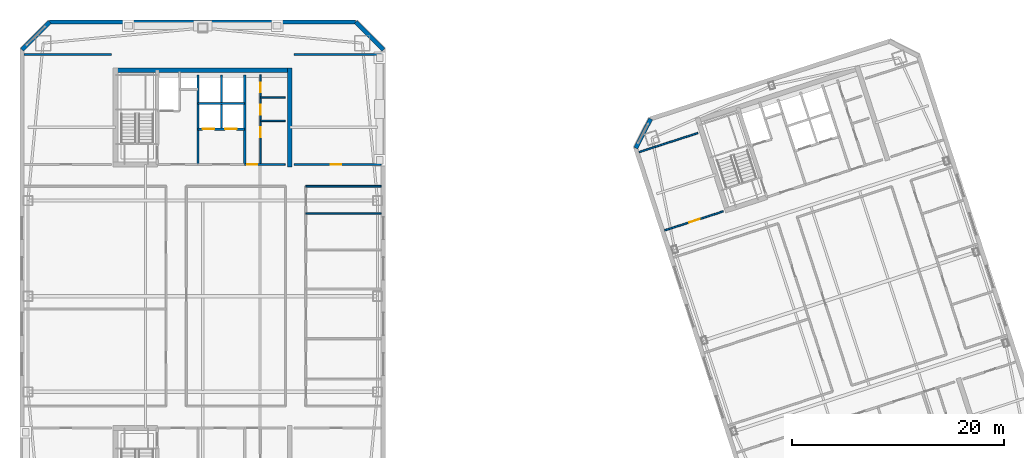
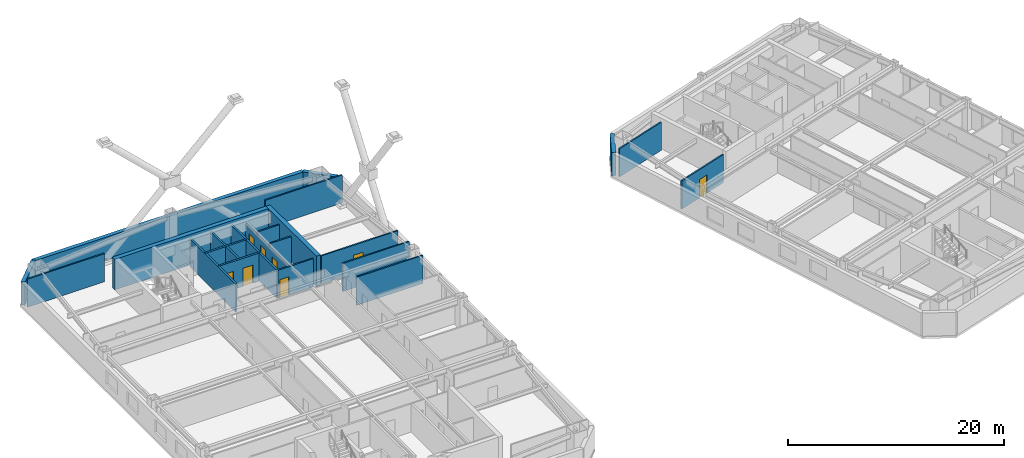
# One storey, part 19 of 25: 22 walls, 8 doors, 8 openings.
"""IFC4 building model written with IfcOpenShell, lengths in metres."""

from ifc_helpers import new_model, si_unit, direction, frame, frame_2d, origin, place, context, subcontext, project, spatial, rectangle, extrude, material, layer, layer_set, type_object, element, fill, save


model = new_model("IFC4")

# Units and contexts
model_context = context("Model", 3, precision=1e-05, world=origin(), true_north=direction((0.0, 1.0)))
body_context = subcontext(model_context, "Body", "Model", "MODEL_VIEW")
ifc_project = project(units=[si_unit("LENGTHUNIT", "METRE"), si_unit("AREAUNIT", "SQUARE_METRE"), si_unit("VOLUMEUNIT", "CUBIC_METRE"), si_unit("PLANEANGLEUNIT", "RADIAN"), si_unit("MASSUNIT", "GRAM", prefix="KILO")], contexts=[model_context])

# Site, building, storey
site_placement = place(None, origin())
site = spatial("IfcSite", under=ifc_project, at=site_placement, CompositionType="ELEMENT")
building_placement = place(site_placement, origin())
building = spatial("IfcBuilding", under=site, at=building_placement, Name="Qiaolan Cultural Towers", CompositionType="ELEMENT")
storey_placement = place(building_placement, frame((0.0, 0.0, 202.39990234375)))
storey = spatial("IfcBuildingStorey", under=building, at=storey_placement, Name="L54", CompositionType="ELEMENT", Elevation=202.39990234375)

# Walls
ifc_material_1 = material(Name="Concrete C50", Category="concrete")
ifc_layer_1 = layer(ifc_material_1, 0.449951171875)
ifc_layer_set_1 = layer_set([ifc_layer_1], Name="Concrete C50")
wall_type_1 = type_object("IfcWallType", Name="WL-CORE-450", PredefinedType="SHEAR", material=ifc_layer_set_1)
wall_1_placement = place(storey_placement, frame((21.574951171875, 55.280029296875, 0.0), z_axis=(0.0, 0.0, 1.0), x_axis=(1.0, 0.0, 0.0)))
element("IfcWall", 1, at=wall_1_placement, inside=storey, type_object=wall_type_1, Name="L54 T1-CN Outer Core Shear Wall", PredefinedType="SHEAR", context=body_context, shape_type="SweptSolid", body=[
    extrude(rectangle(XDim=16.85009765625, YDim=0.449951171875, at=frame_2d((8.425048828125, 0.0))), origin(), (0.0, 0.0, 1.0), 3.4501953125),
])
wall_2_placement = place(storey_placement, frame((38.199951171875, 46.175048828125, 0.0), z_axis=(0.0, 0.0, 1.0), x_axis=(0.0, 1.0, 0.0)))
element("IfcWall", 2, at=wall_2_placement, inside=storey, type_object=wall_type_1, Name="L54 T1-CN East Core Shear Wall", PredefinedType="SHEAR", context=body_context, shape_type="SweptSolid", body=[
    extrude(rectangle(XDim=9.329833984375, YDim=0.449951171875, at=frame_2d((4.6650390625, 0.0))), origin(), (0.0, 0.0, 1.0), 3.4501953125),
])
ifc_material_2 = material(Name="Precast Concrete C50 Honed Stone Pier", Category="masonry")
ifc_layer_2 = layer(ifc_material_2, 0.39990234375)
ifc_layer_set_2 = layer_set([ifc_layer_2], Name="Precast Concrete C50 Honed Stone Pier")
wall_type_2 = type_object("IfcWallType", Name="WL-EXT-PIER-400", PredefinedType="SOLIDWALL", material=ifc_layer_set_2)
wall_3_placement = place(storey_placement, frame((13.0, 57.199951171875, 0.0), z_axis=(0.0, 0.0, 1.0), x_axis=(0.707106781187, 0.707106781187, 0.0)))
element("IfcWall", 3, at=wall_3_placement, inside=storey, type_object=wall_type_2, Name="L54 West Tower Precast Pier Facade Wall F2", PredefinedType="SOLIDWALL", context=body_context, shape_type="SweptSolid", body=[
    extrude(rectangle(XDim=3.677001953125, YDim=0.39990234375, at=frame_2d((1.83837890625, 0.0))), origin(), (0.0, 0.0, 1.0), 2.610107421875),
])
wall_4_placement = place(storey_placement, frame((15.60009765625, 59.800048828125, 0.0), z_axis=(0.0, 0.0, 1.0), x_axis=(1.0, 0.0, 0.0)))
element("IfcWall", 4, at=wall_4_placement, inside=storey, type_object=wall_type_2, Name="L54 West Tower Precast Pier Facade Wall F3", PredefinedType="SOLIDWALL", context=body_context, shape_type="SweptSolid", body=[
    extrude(rectangle(XDim=28.7998046875, YDim=0.39990234375, at=frame_2d((14.39990234375, 0.0))), origin(), (0.0, 0.0, 1.0), 2.610107421875),
])
wall_5_placement = place(storey_placement, frame((44.39990234375, 59.800048828125, 0.0), z_axis=(0.0, 0.0, 1.0), x_axis=(0.707106781187, -0.707106781187, 0.0)))
element("IfcWall", 5, at=wall_5_placement, inside=storey, type_object=wall_type_2, Name="L54 West Tower Precast Pier Facade Wall F4", PredefinedType="SOLIDWALL", context=body_context, shape_type="SweptSolid", body=[
    extrude(rectangle(XDim=3.677001953125, YDim=0.39990234375, at=frame_2d((1.83837890625, 0.0))), origin(), (0.0, 0.0, 1.0), 2.610107421875),
])
wall_6_placement = place(storey_placement, frame((70.752197265625, 47.93408203125, 0.0), z_axis=(0.0, 0.0, 1.0), x_axis=(0.453949291228, 0.891027519774, 0.0)))
element("IfcWall", 6, at=wall_6_placement, inside=storey, type_object=wall_type_2, Name="L54 East Tower Precast Pier Facade Wall F2", PredefinedType="SOLIDWALL", context=body_context, shape_type="SweptSolid", body=[
    extrude(rectangle(XDim=3.111328125, YDim=0.39990234375, at=frame_2d((1.5556640625, 0.0))), origin(), (0.0, 0.0, 1.0), 2.610107421875),
])
ifc_material_3 = material(Name="Concrete C35 Fire Wall", Category="concrete")
ifc_layer_3 = layer(ifc_material_3, 0.199951171875)
ifc_layer_set_3 = layer_set([ifc_layer_3], Name="Concrete C35 Fire Wall")
wall_type_3 = type_object("IfcWallType", Name="WL-FIRE-200", PredefinedType="PARTITIONING", material=ifc_layer_set_3)
for number, where, z_axis, x_axis, name in (
    (7, (29.550048828125, 46.39990234375, 0.0), (0.0, 0.0, 1.0), (0.0, 1.0, 0.0), "L54 T1-CN Firefighting Zone Wall"),
    (8, (33.949951171875, 46.39990234375, 0.0), (0.0, 0.0, 1.0), (0.0, 1.0, 0.0), "L54 T1-CN Lift Core East Wall"),
):
    element("IfcWall", number, at=place(storey_placement, frame(where, z_axis=z_axis, x_axis=x_axis)), inside=storey, type_object=wall_type_3, Name=name, PredefinedType="PARTITIONING", context=body_context, shape_type="SweptSolid", body=[
        extrude(rectangle(XDim=8.43017578125, YDim=0.199951171875, at=frame_2d((4.215087890625, 0.0))), origin(), (0.0, 0.0, 1.0), 3.175048828125),
    ])

# Wall, openings, doors
wall_7_placement = place(storey_placement, frame((29.550048828125, 49.719970703125, 0.0), z_axis=(0.0, 0.0, 1.0), x_axis=(1.0, 0.0, 0.0)))
wall_7 = element("IfcWall", 9, at=wall_7_placement, inside=storey, type_object=wall_type_3, Name="L54 T1-CN Passenger Lift Shaft Front Wall", PredefinedType="PARTITIONING", context=body_context, shape_type="SweptSolid", body=[
    extrude(rectangle(XDim=4.39990234375, YDim=0.199951171875, at=frame_2d((2.199951171875, 0.0))), origin(), (0.0, 0.0, 1.0), 3.175048828125),
])
opening_1_placement = place(wall_7_placement, frame((0.449951171875, 0.0, 0.0)))
opening_1 = element("IfcOpeningElement", 10, at=opening_1_placement, cuts=wall_7, Name="Opening LD-01", PredefinedType="OPENING", context=body_context, shape_type="SweptSolid", body=[
    extrude(rectangle(XDim=1.10009765625, YDim=2.050048828125, at=frame_2d((0.550048828125, 1.02490234375))), frame((0.0, 0.10986328125, 0.0), z_axis=(0.0, -1.0, 0.0), x_axis=(1.0, 0.0, 0.0)), (0.0, 0.0, 1.0), 0.219970703125),
])
opening_2_placement = place(wall_7_placement, frame((2.550048828125, 0.0, 0.0)))
opening_2 = element("IfcOpeningElement", 11, at=opening_2_placement, cuts=wall_7, Name="Opening LD-01", PredefinedType="OPENING", context=body_context, shape_type="SweptSolid", body=[
    extrude(rectangle(XDim=1.10009765625, YDim=2.050048828125, at=frame_2d((0.550048828125, 1.02490234375))), frame((0.0, 0.10986328125, 0.0), z_axis=(0.0, -1.0, 0.0), x_axis=(1.0, 0.0, 0.0)), (0.0, 0.0, 1.0), 0.219970703125),
])
ifc_material_4 = material(Name="Brushed Stainless Steel S30408 Centre-Parting Lift Landing Door", Category="steel")
door_type_1 = type_object("IfcDoorType", Name="DR-LIFT-1100", OperationType="NOTDEFINED", PredefinedType="DOOR", material=ifc_material_4)
door_1_placement = place(opening_1_placement, origin())
door_1 = element("IfcDoor", 12, at=door_1_placement, inside=storey, type_object=door_type_1, Name="L54 Passenger Lift 1 Landing Door", OperationType="DOUBLE_DOOR_SLIDING", OverallHeight=2.050048828125, OverallWidth=1.10009765625, PredefinedType="DOOR", context=body_context, shape_type="SweptSolid", body=[
    extrude(rectangle(XDim=1.10009765625, YDim=2.050048828125, at=frame_2d((0.550048828125, 1.02490234375))), frame((0.0, 0.02490234375, 0.0), z_axis=(0.0, -1.0, 0.0), x_axis=(1.0, 0.0, 0.0)), (0.0, 0.0, 1.0), 0.050048828125),
])
fill(opening_1, door_1)
door_2_placement = place(opening_2_placement, origin())
door_2 = element("IfcDoor", 13, at=door_2_placement, inside=storey, type_object=door_type_1, Name="L54 Passenger Lift 2 Landing Door", OperationType="DOUBLE_DOOR_SLIDING", OverallHeight=2.050048828125, OverallWidth=1.10009765625, PredefinedType="DOOR", context=body_context, shape_type="SweptSolid", body=[
    extrude(rectangle(XDim=1.10009765625, YDim=2.050048828125, at=frame_2d((0.550048828125, 1.02490234375))), frame((0.0, 0.02490234375, 0.0), z_axis=(0.0, -1.0, 0.0), x_axis=(1.0, 0.0, 0.0)), (0.0, 0.0, 1.0), 0.050048828125),
])
fill(opening_2, door_2)

# Walls
wall_8_placement = place(storey_placement, frame((31.780029296875, 49.719970703125, 0.0), z_axis=(0.0, 0.0, 1.0), x_axis=(0.0, 1.0, 0.0)))
element("IfcWall", 14, at=wall_8_placement, inside=storey, type_object=wall_type_3, Name="L54 T1-CN Lift Shaft Divider Wall", PredefinedType="PARTITIONING", context=body_context, shape_type="SweptSolid", body=[
    extrude(rectangle(XDim=5.110107421875, YDim=0.199951171875, at=frame_2d((2.55517578125, 0.0))), origin(), (0.0, 0.0, 1.0), 3.175048828125),
])
wall_9_placement = place(storey_placement, frame((29.550048828125, 52.14990234375, 0.0), z_axis=(0.0, 0.0, 1.0), x_axis=(1.0, 0.0, 0.0)))
element("IfcWall", 15, at=wall_9_placement, inside=storey, type_object=wall_type_3, Name="L54 T1-CN Passenger Lift Shaft Back Wall", PredefinedType="PARTITIONING", context=body_context, shape_type="SweptSolid", body=[
    extrude(rectangle(XDim=4.39990234375, YDim=0.199951171875, at=frame_2d((2.199951171875, 0.0))), origin(), (0.0, 0.0, 1.0), 3.175048828125),
])

# Wall, opening, door
ifc_material_5 = material(Name="Autoclaved Aerated Concrete Block B06", Category="concrete")
ifc_layer_4 = layer(ifc_material_5, 0.14990234375)
ifc_layer_set_4 = layer_set([ifc_layer_4], Name="Autoclaved Aerated Concrete Block B06")
wall_type_4 = type_object("IfcWallType", Name="WL-PART-150", PredefinedType="PARTITIONING", material=ifc_layer_set_4)
wall_10_placement = place(storey_placement, frame((33.949951171875, 46.39990234375, 0.0), z_axis=(0.0, 0.0, 1.0), x_axis=(1.0, 0.0, 0.0)))
wall_10 = element("IfcWall", 16, at=wall_10_placement, inside=storey, type_object=wall_type_4, Name="L54 T1-CN Sanitary Core Front Wall", PredefinedType="PARTITIONING", context=body_context, shape_type="SweptSolid", body=[
    extrude(rectangle(XDim=3.800048828125, YDim=0.14990234375, at=frame_2d((1.89990234375, 0.0))), origin(), (0.0, 0.0, 1.0), 3.175048828125),
])
opening_3_placement = place(wall_10_placement, frame((0.219970703125, 0.0, 0.0)))
opening_3 = element("IfcOpeningElement", 17, at=opening_3_placement, cuts=wall_10, Name="Opening ID-05", PredefinedType="OPENING", context=body_context, shape_type="SweptSolid", body=[
    extrude(rectangle(XDim=0.949951171875, YDim=2.050048828125, at=frame_2d((0.47509765625, 1.02490234375))), frame((0.0, 0.0849609375, 0.0), z_axis=(0.0, -1.0, 0.0), x_axis=(1.0, 0.0, 0.0)), (0.0, 0.0, 1.0), 0.169921875),
])
ifc_material_6 = material(Name="Fire-Rated Laminate Accessible Core Door", Category="timber")
door_type_2 = type_object("IfcDoorType", Name="DR-INT-950", OperationType="NOTDEFINED", PredefinedType="DOOR", material=ifc_material_6)
door_3_placement = place(opening_3_placement, origin())
door_3 = element("IfcDoor", 18, at=door_3_placement, inside=storey, type_object=door_type_2, Name="L54 Sanitary Vestibule Door", OperationType="SINGLE_SWING_LEFT", OverallHeight=2.050048828125, OverallWidth=0.949951171875, PredefinedType="DOOR", context=body_context, shape_type="SweptSolid", body=[
    extrude(rectangle(XDim=0.949951171875, YDim=2.050048828125, at=frame_2d((0.47509765625, 1.02490234375))), frame((0.0, 0.02490234375, 0.0), z_axis=(0.0, -1.0, 0.0), x_axis=(1.0, 0.0, 0.0)), (0.0, 0.0, 1.0), 0.050048828125),
])
fill(opening_3, door_3)

# Wall, openings, doors
wall_11_placement = place(storey_placement, frame((35.449951171875, 46.39990234375, 0.0), z_axis=(0.0, 0.0, 1.0), x_axis=(0.0, 1.0, 0.0)))
wall_11 = element("IfcWall", 19, at=wall_11_placement, inside=storey, type_object=wall_type_4, Name="L54 T1-CN Sanitary Vestibule Wall", PredefinedType="PARTITIONING", context=body_context, shape_type="SweptSolid", body=[
    extrude(rectangle(XDim=8.43017578125, YDim=0.14990234375, at=frame_2d((4.215087890625, 0.0))), origin(), (0.0, 0.0, 1.0), 2.76513671875),
])
opening_4_placement = place(wall_11_placement, frame((2.550048828125, 0.0, 0.0)))
opening_4 = element("IfcOpeningElement", 20, at=opening_4_placement, cuts=wall_11, Name="Opening ID-05", PredefinedType="OPENING", context=body_context, shape_type="SweptSolid", body=[
    extrude(rectangle(XDim=0.949951171875, YDim=2.050048828125, at=frame_2d((0.47509765625, 1.02490234375))), frame((0.0, 0.0849609375, 0.0), z_axis=(0.0, -1.0, 0.0), x_axis=(1.0, 0.0, 0.0)), (0.0, 0.0, 1.0), 0.169921875),
])
opening_5_placement = place(wall_11_placement, frame((4.699951171875, 0.0, 0.0)))
opening_5 = element("IfcOpeningElement", 21, at=opening_5_placement, cuts=wall_11, Name="Opening ID-06", PredefinedType="OPENING", context=body_context, shape_type="SweptSolid", body=[
    extrude(rectangle(XDim=0.89990234375, YDim=2.050048828125, at=frame_2d((0.449951171875, 1.02490234375))), frame((0.0, 0.0849609375, 0.0), z_axis=(0.0, -1.0, 0.0), x_axis=(1.0, 0.0, 0.0)), (0.0, 0.0, 1.0), 0.169921875),
])
opening_6_placement = place(wall_11_placement, frame((6.800048828125, 0.0, 0.0)))
opening_6 = element("IfcOpeningElement", 22, at=opening_6_placement, cuts=wall_11, Name="Opening ID-06", PredefinedType="OPENING", context=body_context, shape_type="SweptSolid", body=[
    extrude(rectangle(XDim=0.89990234375, YDim=2.050048828125, at=frame_2d((0.449951171875, 1.02490234375))), frame((0.0, 0.0849609375, 0.0), z_axis=(0.0, -1.0, 0.0), x_axis=(1.0, 0.0, 0.0)), (0.0, 0.0, 1.0), 0.169921875),
])
ifc_material_7 = material(Name="Fire-Rated Laminate Core Service Door", Category="timber")
door_type_3 = type_object("IfcDoorType", Name="DR-INT-900", OperationType="NOTDEFINED", PredefinedType="DOOR", material=ifc_material_7)
door_4_placement = place(opening_5_placement, origin())
door_4 = element("IfcDoor", 23, at=door_4_placement, inside=storey, type_object=door_type_3, Name="L54 Men Washroom Door", OperationType="SINGLE_SWING_LEFT", OverallHeight=2.050048828125, OverallWidth=0.89990234375, PredefinedType="DOOR", context=body_context, shape_type="SweptSolid", body=[
    extrude(rectangle(XDim=0.89990234375, YDim=2.050048828125, at=frame_2d((0.449951171875, 1.02490234375))), frame((0.0, 0.02490234375, 0.0), z_axis=(0.0, -1.0, 0.0), x_axis=(1.0, 0.0, 0.0)), (0.0, 0.0, 1.0), 0.050048828125),
])
fill(opening_5, door_4)
door_5_placement = place(opening_6_placement, origin())
door_5 = element("IfcDoor", 24, at=door_5_placement, inside=storey, type_object=door_type_3, Name="L54 Women Washroom Door", OperationType="SINGLE_SWING_RIGHT", OverallHeight=2.050048828125, OverallWidth=0.89990234375, PredefinedType="DOOR", context=body_context, shape_type="SweptSolid", body=[
    extrude(rectangle(XDim=0.89990234375, YDim=2.050048828125, at=frame_2d((0.449951171875, 1.02490234375))), frame((0.0, 0.02490234375, 0.0), z_axis=(0.0, -1.0, 0.0), x_axis=(1.0, 0.0, 0.0)), (0.0, 0.0, 1.0), 0.050048828125),
])
fill(opening_6, door_5)
door_6_placement = place(opening_4_placement, origin())
door_6 = element("IfcDoor", 25, at=door_6_placement, inside=storey, type_object=door_type_2, Name="L54 Accessible Family Washroom Door", OperationType="SINGLE_SWING_LEFT", OverallHeight=2.050048828125, OverallWidth=0.949951171875, PredefinedType="DOOR", context=body_context, shape_type="SweptSolid", body=[
    extrude(rectangle(XDim=0.949951171875, YDim=2.050048828125, at=frame_2d((0.47509765625, 1.02490234375))), frame((0.0, 0.02490234375, 0.0), z_axis=(0.0, -1.0, 0.0), x_axis=(1.0, 0.0, 0.0)), (0.0, 0.0, 1.0), 0.050048828125),
])
fill(opening_4, door_6)

# Walls
for number, where, z_axis, x_axis, name in (
    (26, (35.449951171875, 50.5, 0.0), (0.0, 0.0, 1.0), (1.0, 0.0, 0.0), "L54 T1-CN Restroom Split Wall 1"),
    (27, (35.449951171875, 52.699951171875, 0.0), (0.0, 0.0, 1.0), (1.0, 0.0, 0.0), "L54 T1-CN Restroom Split Wall 2"),
):
    element("IfcWall", number, at=place(storey_placement, frame(where, z_axis=z_axis, x_axis=x_axis)), inside=storey, type_object=wall_type_4, Name=name, PredefinedType="PARTITIONING", context=body_context, shape_type="SweptSolid", body=[
        extrude(rectangle(XDim=2.300048828125, YDim=0.14990234375, at=frame_2d((1.14990234375, 0.0))), origin(), (0.0, 0.0, 1.0), 3.175048828125),
    ])
for number, where, z_axis, x_axis, name in (
    (28, (13.199951171875, 56.75, 0.0), (0.0, 0.0, 1.0), (1.0, 0.0, 0.0), "L54 T1 Flank Wall FLK-NW"),
    (29, (38.60009765625, 56.75, 0.0), (0.0, 0.0, 1.0), (1.0, 0.0, 0.0), "L54 T1 Flank Wall FLK-NE"),
):
    element("IfcWall", number, at=place(storey_placement, frame(where, z_axis=z_axis, x_axis=x_axis)), inside=storey, type_object=wall_type_4, Name=name, PredefinedType="PARTITIONING", context=body_context, shape_type="SweptSolid", body=[
        extrude(rectangle(XDim=8.199951171875, YDim=0.14990234375, at=frame_2d((4.10009765625, 0.0))), origin(), (0.0, 0.0, 1.0), 3.175048828125),
    ])

# Wall, opening, door
wall_12_placement = place(storey_placement, frame((38.60009765625, 46.39990234375, 0.0), z_axis=(0.0, 0.0, 1.0), x_axis=(1.0, 0.0, 0.0)))
wall_12 = element("IfcWall", 30, at=wall_12_placement, inside=storey, type_object=wall_type_4, Name="L54 T1 Flank Front FLK-NE", PredefinedType="PARTITIONING", context=body_context, shape_type="SweptSolid", body=[
    extrude(rectangle(XDim=8.199951171875, YDim=0.14990234375, at=frame_2d((4.10009765625, 0.0))), origin(), (0.0, 0.0, 1.0), 3.175048828125),
])
opening_7_placement = place(wall_12_placement, frame((3.444091796875, 0.0, 0.0)))
opening_7 = element("IfcOpeningElement", 31, at=opening_7_placement, cuts=wall_12, Name="Opening ID-04", PredefinedType="OPENING", context=body_context, shape_type="SweptSolid", body=[
    extrude(rectangle(XDim=1.0, YDim=2.050048828125, at=frame_2d((0.5, 1.02490234375))), frame((0.0, 0.0849609375, 0.0), z_axis=(0.0, -1.0, 0.0), x_axis=(1.0, 0.0, 0.0)), (0.0, 0.0, 1.0), 0.169921875),
])
ifc_material_8 = material(Name="Oak Veneer Acoustic Office Door", Category="timber")
door_type_4 = type_object("IfcDoorType", Name="DR-INT-1000", OperationType="NOTDEFINED", PredefinedType="DOOR", material=ifc_material_8)
door_7_placement = place(opening_7_placement, origin())
door_7 = element("IfcDoor", 32, at=door_7_placement, inside=storey, type_object=door_type_4, Name="L54 T1 Corner Studio Door", OperationType="SINGLE_SWING_LEFT", OverallHeight=2.050048828125, OverallWidth=1.0, PredefinedType="DOOR", context=body_context, shape_type="SweptSolid", body=[
    extrude(rectangle(XDim=1.0, YDim=2.050048828125, at=frame_2d((0.5, 1.02490234375))), frame((0.0, 0.02490234375, 0.0), z_axis=(0.0, -1.0, 0.0), x_axis=(1.0, 0.0, 0.0)), (0.0, 0.0, 1.0), 0.050048828125),
])
fill(opening_7, door_7)

# Walls
for number, where, z_axis, x_axis, name in (
    (33, (39.699951171875, 44.35009765625, 0.0), (0.0, 0.0, 1.0), (1.0, 0.0, 0.0), "L54 T1 Interior Wall"),
    (34, (39.699951171875, 41.800048828125, 0.0), (0.0, 0.0, 1.0), (1.0, 0.0, 0.0), "L54 T1 Interior Wall"),
):
    element("IfcWall", number, at=place(storey_placement, frame(where, z_axis=z_axis, x_axis=x_axis)), inside=storey, type_object=wall_type_4, Name=name, PredefinedType="PARTITIONING", context=body_context, shape_type="SweptSolid", body=[
        extrude(rectangle(XDim=7.10009765625, YDim=0.14990234375, at=frame_2d((3.550048828125, 0.0))), origin(), (0.0, 0.0, 1.0), 3.175048828125),
    ])
wall_13_placement = place(storey_placement, frame((71.081298828125, 47.56787109375, 0.0), z_axis=(0.0, 0.0, 1.0), x_axis=(0.951059431056, 0.309008023519, 0.0)))
element("IfcWall", 35, at=wall_13_placement, inside=storey, type_object=wall_type_4, Name="L54 T2 Flank Wall FLK-NW", PredefinedType="PARTITIONING", context=body_context, shape_type="SweptSolid", body=[
    extrude(rectangle(XDim=5.800048828125, YDim=0.14990234375, at=frame_2d((2.89990234375, 0.0))), origin(), (0.0, 0.0, 1.0), 3.175048828125),
])

# Wall, opening, door
wall_14_placement = place(storey_placement, frame((73.476318359375, 40.197265625, 0.0), z_axis=(0.0, 0.0, 1.0), x_axis=(0.951059431056, 0.309008023519, 0.0)))
wall_14 = element("IfcWall", 36, at=wall_14_placement, inside=storey, type_object=wall_type_4, Name="L54 T2 Flank Front FLK-NW", PredefinedType="PARTITIONING", context=body_context, shape_type="SweptSolid", body=[
    extrude(rectangle(XDim=5.800048828125, YDim=0.14990234375, at=frame_2d((2.89990234375, 0.0))), origin(), (0.0, 0.0, 1.0), 3.175048828125),
])
opening_8_placement = place(wall_14_placement, frame((2.43603515625, 0.0, 0.0)))
opening_8 = element("IfcOpeningElement", 37, at=opening_8_placement, cuts=wall_14, Name="Opening ID-07", PredefinedType="OPENING", context=body_context, shape_type="SweptSolid", body=[
    extrude(rectangle(XDim=1.050048828125, YDim=2.050048828125, at=frame_2d((0.52490234375, 1.02490234375))), frame((0.0, 0.0849609375, 0.0), z_axis=(0.0, -1.0, 0.0), x_axis=(1.0, 0.0, 0.0)), (0.0, 0.0, 1.0), 0.169921875),
])
ifc_material_9 = material(Name="Oak Veneer Consultation Door", Category="timber")
door_type_5 = type_object("IfcDoorType", Name="DR-INT-1050", OperationType="NOTDEFINED", PredefinedType="DOOR", material=ifc_material_9)
door_8_placement = place(opening_8_placement, origin())
door_8 = element("IfcDoor", 38, at=door_8_placement, inside=storey, type_object=door_type_5, Name="L54 T2 Corner Studio Door", OperationType="SINGLE_SWING_LEFT", OverallHeight=2.050048828125, OverallWidth=1.050048828125, PredefinedType="DOOR", context=body_context, shape_type="SweptSolid", body=[
    extrude(rectangle(XDim=1.050048828125, YDim=2.050048828125, at=frame_2d((0.52490234375, 1.02490234375))), frame((0.0, 0.02490234375, 0.0), z_axis=(0.0, -1.0, 0.0), x_axis=(1.0, 0.0, 0.0)), (0.0, 0.0, 1.0), 0.050048828125),
])
fill(opening_8, door_8)

save(model, "model.ifc")
